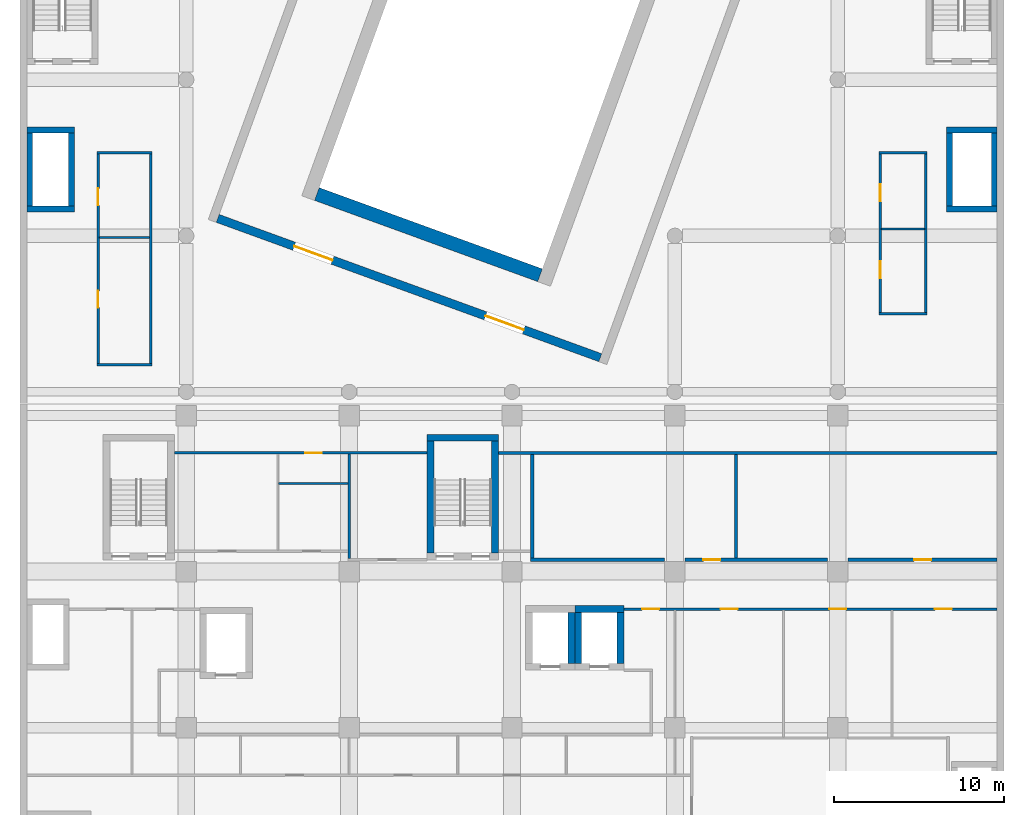
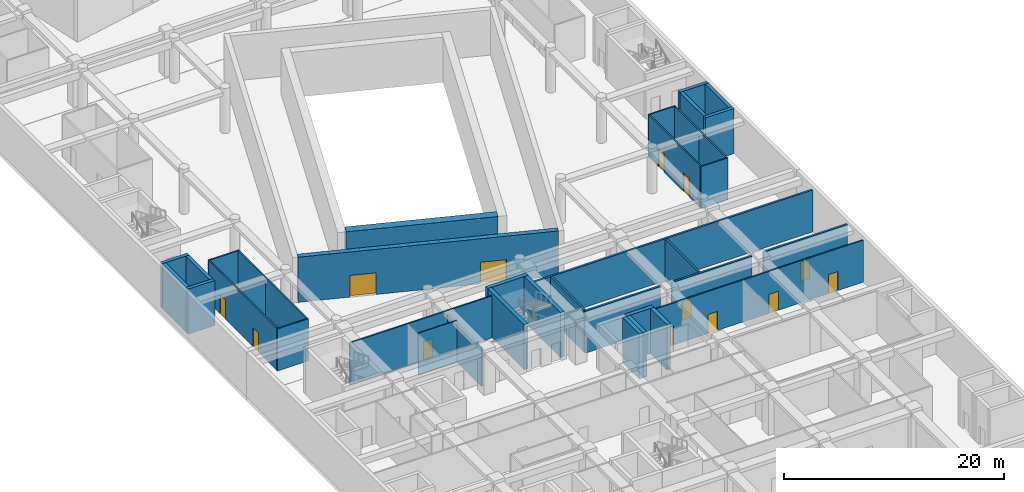
# One storey, part 12 of 31: 37 walls, 13 doors, 13 openings.
"""IFC4 building model written with IfcOpenShell, lengths in metres."""

from ifc_helpers import new_model, si_unit, direction, frame, frame_2d, origin, place, context, subcontext, project, spatial, rectangle, extrude, material, layer, layer_set, type_object, element, fill, save


model = new_model("IFC4")

# Units and contexts
model_context = context("Model", 3, precision=1e-05, world=origin(), true_north=direction((0.0, 1.0)))
body_context = subcontext(model_context, "Body", "Model", "MODEL_VIEW")
ifc_project = project(units=[si_unit("LENGTHUNIT", "METRE"), si_unit("AREAUNIT", "SQUARE_METRE"), si_unit("VOLUMEUNIT", "CUBIC_METRE"), si_unit("PLANEANGLEUNIT", "RADIAN"), si_unit("MASSUNIT", "GRAM", prefix="KILO")], contexts=[model_context])

# Site, building, storey
site_placement = place(None, origin())
site = spatial("IfcSite", under=ifc_project, at=site_placement, CompositionType="ELEMENT")
building_placement = place(site_placement, origin())
building = spatial("IfcBuilding", under=site, at=building_placement, Name="Nzadi Deep Aquarium and Research Tower", CompositionType="ELEMENT")
storey_placement = place(building_placement, frame((0.0, 0.0, 21.699951171875)))
storey = spatial("IfcBuildingStorey", under=building, at=storey_placement, Name="L03", CompositionType="ELEMENT", Elevation=21.699951171875)

# Walls
ifc_material_1 = material(Name="Blockwork masonry", Category="masonry")
ifc_layer_1 = layer(ifc_material_1, 0.10009765625)
ifc_layer_set_1 = layer_set([ifc_layer_1], Name="Blockwork masonry")
wall_type_1 = type_object("IfcWallType", Name="Partition 100 EI 30", PredefinedType="PARTITIONING", material=ifc_layer_set_1)
wall_1_placement = place(storey_placement, frame((15.050048828125, 42.0, 0.0), z_axis=(0.0, 0.0, 1.0), x_axis=(1.0, 0.0, 0.0)))
element("IfcWall", 1, at=wall_1_placement, inside=storey, type_object=wall_type_1, Name="W-Z1-L03-P020", PredefinedType="PARTITIONING", context=body_context, shape_type="SweptSolid", body=[
    extrude(rectangle(XDim=4.074951171875, YDim=0.10009765625, at=frame_2d((2.03759765625, 0.0))), origin(), (0.0, 0.0, 1.0), 4.650146484375),
])
ifc_material_2 = material(Name="Blockwork masonry", Category="masonry")
ifc_layer_2 = layer(ifc_material_2, 0.10009765625)
ifc_layer_set_2 = layer_set([ifc_layer_2], Name="Blockwork masonry")
wall_type_2 = type_object("IfcWallType", Name="Partition 100 EI 30, 4.25 m high", PredefinedType="PARTITIONING", material=ifc_layer_set_2)
wall_2_placement = place(storey_placement, frame((4.47509765625, 56.5, 0.0), z_axis=(0.0, 0.0, 1.0), x_axis=(1.0, 0.0, 0.0)))
element("IfcWall", 2, at=wall_2_placement, inside=storey, type_object=wall_type_2, Name="W-Z2-L03-P007", PredefinedType="PARTITIONING", context=body_context, shape_type="SweptSolid", body=[
    extrude(rectangle(XDim=2.949951171875, YDim=0.10009765625, at=frame_2d((1.47509765625, 0.0))), origin(), (0.0, 0.0, 1.0), 4.25),
])
wall_3_placement = place(storey_placement, frame((50.574951171875, 57.0, 0.0), z_axis=(0.0, 0.0, 1.0), x_axis=(1.0, 0.0, 0.0)))
element("IfcWall", 3, at=wall_3_placement, inside=storey, type_object=wall_type_2, Name="W-Z2-L03-P019", PredefinedType="PARTITIONING", context=body_context, shape_type="SweptSolid", body=[
    extrude(rectangle(XDim=2.550048828125, YDim=0.10009765625, at=frame_2d((1.27490234375, 0.0))), origin(), (0.0, 0.0, 1.0), 4.25),
])

# Wall, opening, door
ifc_material_3 = material(Name="Blockwork masonry", Category="masonry")
ifc_layer_3 = layer(ifc_material_3, 0.14990234375)
ifc_layer_set_3 = layer_set([ifc_layer_3], Name="Blockwork masonry")
wall_type_3 = type_object("IfcWallType", Name="Partition 150 EI 60", PredefinedType="PARTITIONING", material=ifc_layer_set_3)
wall_4_placement = place(storey_placement, frame((8.906005859375, 43.800048828125, 0.0), z_axis=(0.0, 0.0, 1.0), x_axis=(1.0, 0.0, 0.0)))
wall_4 = element("IfcWall", 4, at=wall_4_placement, inside=storey, type_object=wall_type_3, Name="W-Z1-L03-P011", PredefinedType="PARTITIONING", context=body_context, shape_type="SweptSolid", body=[
    extrude(rectangle(XDim=14.887939453125, YDim=0.14990234375, at=frame_2d((7.44384765625, 0.0))), origin(), (0.0, 0.0, 1.0), 4.650146484375),
])
opening_1_placement = place(wall_4_placement, frame((7.694091796875, 0.0, 0.0)))
opening_1 = element("IfcOpeningElement", 5, at=opening_1_placement, cuts=wall_4, Name="Opening D041024", PredefinedType="OPENING", context=body_context, shape_type="SweptSolid", body=[
    extrude(rectangle(XDim=1.0, YDim=2.10009765625, at=frame_2d((0.5, 1.050048828125))), frame((0.0, 0.0849609375, 0.0), z_axis=(0.0, -1.0, 0.0), x_axis=(1.0, 0.0, 0.0)), (0.0, 0.0, 1.0), 0.169921875),
])
ifc_material_4 = material(Name="Fire-rated steel door", Category="steel")
ifc_layer_4 = layer(ifc_material_4, 0.050048828125)
ifc_layer_set_4 = layer_set([ifc_layer_4], Name="Fire-rated steel door")
door_type_1 = type_object("IfcDoorType", Name="Door 1000x2100 EI 60 single", OperationType="SINGLE_SWING_LEFT", PredefinedType="DOOR", material=ifc_layer_set_4)
door_1_placement = place(opening_1_placement, origin())
door_1 = element("IfcDoor", 6, at=door_1_placement, inside=storey, type_object=door_type_1, Name="D041024", OperationType="SINGLE_SWING_LEFT", OverallHeight=2.10009765625, OverallWidth=1.0, PredefinedType="DOOR", context=body_context, shape_type="SweptSolid", body=[
    extrude(rectangle(XDim=1.0, YDim=2.10009765625, at=frame_2d((0.5, 1.050048828125))), frame((0.0, 0.02490234375, 0.0), z_axis=(0.0, -1.0, 0.0), x_axis=(1.0, 0.0, 0.0)), (0.0, 0.0, 1.0), 0.050048828125),
])
fill(opening_1, door_1)

# Wall, openings, doors
wall_5_placement = place(storey_placement, frame((35.406005859375, 34.60009765625, 0.0), z_axis=(0.0, 0.0, 1.0), x_axis=(1.0, 0.0, 0.0)))
wall_5 = element("IfcWall", 7, at=wall_5_placement, inside=storey, type_object=wall_type_3, Name="W-Z1-L03-P044", PredefinedType="PARTITIONING", context=body_context, shape_type="SweptSolid", body=[
    extrude(rectangle(XDim=21.988037109375, YDim=0.14990234375, at=frame_2d((10.994140625, 0.0))), origin(), (0.0, 0.0, 1.0), 4.650146484375),
])
opening_2_placement = place(wall_5_placement, frame((1.069091796875, 0.0, 0.0)))
opening_2 = element("IfcOpeningElement", 8, at=opening_2_placement, cuts=wall_5, Name="Opening D041011", PredefinedType="OPENING", context=body_context, shape_type="SweptSolid", body=[
    extrude(rectangle(XDim=1.0, YDim=2.10009765625, at=frame_2d((0.5, 1.050048828125))), frame((0.0, 0.0849609375, 0.0), z_axis=(0.0, -1.0, 0.0), x_axis=(1.0, 0.0, 0.0)), (0.0, 0.0, 1.0), 0.169921875),
])
opening_3_placement = place(wall_5_placement, frame((5.694091796875, 0.0, 0.0)))
opening_3 = element("IfcOpeningElement", 9, at=opening_3_placement, cuts=wall_5, Name="Opening D041012", PredefinedType="OPENING", context=body_context, shape_type="SweptSolid", body=[
    extrude(rectangle(XDim=1.0, YDim=2.10009765625, at=frame_2d((0.5, 1.050048828125))), frame((0.0, 0.0849609375, 0.0), z_axis=(0.0, -1.0, 0.0), x_axis=(1.0, 0.0, 0.0)), (0.0, 0.0, 1.0), 0.169921875),
])
opening_4_placement = place(wall_5_placement, frame((12.093994140625, 0.0, 0.0)))
opening_4 = element("IfcOpeningElement", 10, at=opening_4_placement, cuts=wall_5, Name="Opening D041013", PredefinedType="OPENING", context=body_context, shape_type="SweptSolid", body=[
    extrude(rectangle(XDim=1.0, YDim=2.10009765625, at=frame_2d((0.5, 1.050048828125))), frame((0.0, 0.0849609375, 0.0), z_axis=(0.0, -1.0, 0.0), x_axis=(1.0, 0.0, 0.0)), (0.0, 0.0, 1.0), 0.169921875),
])
opening_5_placement = place(wall_5_placement, frame((18.318115234375, 0.0, 0.0)))
opening_5 = element("IfcOpeningElement", 11, at=opening_5_placement, cuts=wall_5, Name="Opening D041014", PredefinedType="OPENING", context=body_context, shape_type="SweptSolid", body=[
    extrude(rectangle(XDim=1.0, YDim=2.10009765625, at=frame_2d((0.5, 1.050048828125))), frame((0.0, 0.0849609375, 0.0), z_axis=(0.0, -1.0, 0.0), x_axis=(1.0, 0.0, 0.0)), (0.0, 0.0, 1.0), 0.169921875),
])
door_2_placement = place(opening_2_placement, origin())
door_2 = element("IfcDoor", 12, at=door_2_placement, inside=storey, type_object=door_type_1, Name="D041011", OperationType="SINGLE_SWING_RIGHT", OverallHeight=2.10009765625, OverallWidth=1.0, PredefinedType="DOOR", context=body_context, shape_type="SweptSolid", body=[
    extrude(rectangle(XDim=1.0, YDim=2.10009765625, at=frame_2d((0.5, 1.050048828125))), frame((0.0, 0.02490234375, 0.0), z_axis=(0.0, -1.0, 0.0), x_axis=(1.0, 0.0, 0.0)), (0.0, 0.0, 1.0), 0.050048828125),
])
fill(opening_2, door_2)
door_3_placement = place(opening_3_placement, origin())
door_3 = element("IfcDoor", 13, at=door_3_placement, inside=storey, type_object=door_type_1, Name="D041012", OperationType="SINGLE_SWING_RIGHT", OverallHeight=2.10009765625, OverallWidth=1.0, PredefinedType="DOOR", context=body_context, shape_type="SweptSolid", body=[
    extrude(rectangle(XDim=1.0, YDim=2.10009765625, at=frame_2d((0.5, 1.050048828125))), frame((0.0, 0.02490234375, 0.0), z_axis=(0.0, -1.0, 0.0), x_axis=(1.0, 0.0, 0.0)), (0.0, 0.0, 1.0), 0.050048828125),
])
fill(opening_3, door_3)
door_4_placement = place(opening_4_placement, origin())
door_4 = element("IfcDoor", 14, at=door_4_placement, inside=storey, type_object=door_type_1, Name="D041013", OperationType="SINGLE_SWING_LEFT", OverallHeight=2.10009765625, OverallWidth=1.0, PredefinedType="DOOR", context=body_context, shape_type="SweptSolid", body=[
    extrude(rectangle(XDim=1.0, YDim=2.10009765625, at=frame_2d((0.5, 1.050048828125))), frame((0.0, 0.02490234375, 0.0), z_axis=(0.0, -1.0, 0.0), x_axis=(1.0, 0.0, 0.0)), (0.0, 0.0, 1.0), 0.050048828125),
])
fill(opening_4, door_4)
door_5_placement = place(opening_5_placement, origin())
door_5 = element("IfcDoor", 15, at=door_5_placement, inside=storey, type_object=door_type_1, Name="D041014", OperationType="SINGLE_SWING_LEFT", OverallHeight=2.10009765625, OverallWidth=1.0, PredefinedType="DOOR", context=body_context, shape_type="SweptSolid", body=[
    extrude(rectangle(XDim=1.0, YDim=2.10009765625, at=frame_2d((0.5, 1.050048828125))), frame((0.0, 0.02490234375, 0.0), z_axis=(0.0, -1.0, 0.0), x_axis=(1.0, 0.0, 0.0)), (0.0, 0.0, 1.0), 0.050048828125),
])
fill(opening_5, door_5)

# Wall
wall_6_placement = place(storey_placement, frame((4.324951171875, 49.0, 0.0), z_axis=(0.0, 0.0, 1.0), x_axis=(1.0, 0.0, 0.0)))
element("IfcWall", 16, at=wall_6_placement, inside=storey, type_object=wall_type_3, Name="W-Z2-L03-P001", PredefinedType="PARTITIONING", context=body_context, shape_type="SweptSolid", body=[
    extrude(rectangle(XDim=3.25, YDim=0.14990234375, at=frame_2d((1.625, 0.0))), origin(), (0.0, 0.0, 1.0), 4.650146484375),
])

# Wall, openings, doors
wall_7_placement = place(storey_placement, frame((4.39990234375, 49.074951171875, 0.0), z_axis=(0.0, 0.0, 1.0), x_axis=(0.0, 1.0, 0.0)))
wall_7 = element("IfcWall", 17, at=wall_7_placement, inside=storey, type_object=wall_type_3, Name="W-Z2-L03-P002", PredefinedType="PARTITIONING", context=body_context, shape_type="SweptSolid", body=[
    extrude(rectangle(XDim=12.35009765625, YDim=0.14990234375, at=frame_2d((6.175048828125, 0.0))), origin(), (0.0, 0.0, 1.0), 4.650146484375),
])
opening_6_placement = place(wall_7_placement, frame((3.284912109375, 0.0, 0.0)))
opening_6 = element("IfcOpeningElement", 18, at=opening_6_placement, cuts=wall_7, Name="Opening D042001", PredefinedType="OPENING", context=body_context, shape_type="SweptSolid", body=[
    extrude(rectangle(XDim=1.0, YDim=2.10009765625, at=frame_2d((0.5, 1.050048828125))), frame((0.0, 0.0849609375, 0.0), z_axis=(0.0, -1.0, 0.0), x_axis=(1.0, 0.0, 0.0)), (0.0, 0.0, 1.0), 0.169921875),
])
opening_7_placement = place(wall_7_placement, frame((9.31494140625, 0.0, 0.0)))
opening_7 = element("IfcOpeningElement", 19, at=opening_7_placement, cuts=wall_7, Name="Opening D042002", PredefinedType="OPENING", context=body_context, shape_type="SweptSolid", body=[
    extrude(rectangle(XDim=1.0, YDim=2.10009765625, at=frame_2d((0.5, 1.050048828125))), frame((0.0, 0.0849609375, 0.0), z_axis=(0.0, -1.0, 0.0), x_axis=(1.0, 0.0, 0.0)), (0.0, 0.0, 1.0), 0.169921875),
])
door_6_placement = place(opening_6_placement, origin())
door_6 = element("IfcDoor", 20, at=door_6_placement, inside=storey, type_object=door_type_1, Name="D042001", OperationType="SINGLE_SWING_RIGHT", OverallHeight=2.10009765625, OverallWidth=1.0, PredefinedType="DOOR", context=body_context, shape_type="SweptSolid", body=[
    extrude(rectangle(XDim=1.0, YDim=2.10009765625, at=frame_2d((0.5, 1.050048828125))), frame((0.0, 0.02490234375, 0.0), z_axis=(0.0, -1.0, 0.0), x_axis=(1.0, 0.0, 0.0)), (0.0, 0.0, 1.0), 0.050048828125),
])
fill(opening_6, door_6)
door_7_placement = place(opening_7_placement, origin())
door_7 = element("IfcDoor", 21, at=door_7_placement, inside=storey, type_object=door_type_1, Name="D042002", OperationType="SINGLE_SWING_LEFT", OverallHeight=2.10009765625, OverallWidth=1.0, PredefinedType="DOOR", context=body_context, shape_type="SweptSolid", body=[
    extrude(rectangle(XDim=1.0, YDim=2.10009765625, at=frame_2d((0.5, 1.050048828125))), frame((0.0, 0.02490234375, 0.0), z_axis=(0.0, -1.0, 0.0), x_axis=(1.0, 0.0, 0.0)), (0.0, 0.0, 1.0), 0.050048828125),
])
fill(opening_7, door_7)

# Walls
wall_8_placement = place(storey_placement, frame((4.324951171875, 61.5, 0.0), z_axis=(0.0, 0.0, 1.0), x_axis=(1.0, 0.0, 0.0)))
element("IfcWall", 22, at=wall_8_placement, inside=storey, type_object=wall_type_3, Name="W-Z2-L03-P003", PredefinedType="PARTITIONING", context=body_context, shape_type="SweptSolid", body=[
    extrude(rectangle(XDim=3.25, YDim=0.14990234375, at=frame_2d((1.625, 0.0))), origin(), (0.0, 0.0, 1.0), 4.650146484375),
])
wall_9_placement = place(storey_placement, frame((7.5, 49.074951171875, 0.0), z_axis=(0.0, 0.0, 1.0), x_axis=(0.0, 1.0, 0.0)))
element("IfcWall", 23, at=wall_9_placement, inside=storey, type_object=wall_type_3, Name="W-Z2-L03-P009", PredefinedType="PARTITIONING", context=body_context, shape_type="SweptSolid", body=[
    extrude(rectangle(XDim=12.35009765625, YDim=0.14990234375, at=frame_2d((6.175048828125, 0.0))), origin(), (0.0, 0.0, 1.0), 4.650146484375),
])
wall_10_placement = place(storey_placement, frame((50.425048828125, 52.0, 0.0), z_axis=(0.0, 0.0, 1.0), x_axis=(1.0, 0.0, 0.0)))
element("IfcWall", 24, at=wall_10_placement, inside=storey, type_object=wall_type_3, Name="W-Z2-L03-P016", PredefinedType="PARTITIONING", context=body_context, shape_type="SweptSolid", body=[
    extrude(rectangle(XDim=2.849853515625, YDim=0.14990234375, at=frame_2d((1.4248046875, 0.0))), origin(), (0.0, 0.0, 1.0), 4.650146484375),
])

# Wall, openings, doors
wall_11_placement = place(storey_placement, frame((50.5, 52.074951171875, 0.0), z_axis=(0.0, 0.0, 1.0), x_axis=(0.0, 1.0, 0.0)))
wall_11 = element("IfcWall", 25, at=wall_11_placement, inside=storey, type_object=wall_type_3, Name="W-Z2-L03-P017", PredefinedType="PARTITIONING", context=body_context, shape_type="SweptSolid", body=[
    extrude(rectangle(XDim=9.35009765625, YDim=0.14990234375, at=frame_2d((4.675048828125, 0.0))), origin(), (0.0, 0.0, 1.0), 4.650146484375),
])
opening_8_placement = place(wall_11_placement, frame((2.034912109375, 0.0, 0.0)))
opening_8 = element("IfcOpeningElement", 26, at=opening_8_placement, cuts=wall_11, Name="Opening D042003", PredefinedType="OPENING", context=body_context, shape_type="SweptSolid", body=[
    extrude(rectangle(XDim=1.0, YDim=2.10009765625, at=frame_2d((0.5, 1.050048828125))), frame((0.0, 0.0849609375, 0.0), z_axis=(0.0, -1.0, 0.0), x_axis=(1.0, 0.0, 0.0)), (0.0, 0.0, 1.0), 0.169921875),
])
opening_9_placement = place(wall_11_placement, frame((6.56494140625, 0.0, 0.0)))
opening_9 = element("IfcOpeningElement", 27, at=opening_9_placement, cuts=wall_11, Name="Opening D042004", PredefinedType="OPENING", context=body_context, shape_type="SweptSolid", body=[
    extrude(rectangle(XDim=1.0, YDim=2.10009765625, at=frame_2d((0.5, 1.050048828125))), frame((0.0, 0.0849609375, 0.0), z_axis=(0.0, -1.0, 0.0), x_axis=(1.0, 0.0, 0.0)), (0.0, 0.0, 1.0), 0.169921875),
])
door_8_placement = place(opening_8_placement, origin())
door_8 = element("IfcDoor", 28, at=door_8_placement, inside=storey, type_object=door_type_1, Name="D042003", OperationType="SINGLE_SWING_RIGHT", OverallHeight=2.10009765625, OverallWidth=1.0, PredefinedType="DOOR", context=body_context, shape_type="SweptSolid", body=[
    extrude(rectangle(XDim=1.0, YDim=2.10009765625, at=frame_2d((0.5, 1.050048828125))), frame((0.0, 0.02490234375, 0.0), z_axis=(0.0, -1.0, 0.0), x_axis=(1.0, 0.0, 0.0)), (0.0, 0.0, 1.0), 0.050048828125),
])
fill(opening_8, door_8)
door_9_placement = place(opening_9_placement, origin())
door_9 = element("IfcDoor", 29, at=door_9_placement, inside=storey, type_object=door_type_1, Name="D042004", OperationType="SINGLE_SWING_LEFT", OverallHeight=2.10009765625, OverallWidth=1.0, PredefinedType="DOOR", context=body_context, shape_type="SweptSolid", body=[
    extrude(rectangle(XDim=1.0, YDim=2.10009765625, at=frame_2d((0.5, 1.050048828125))), frame((0.0, 0.02490234375, 0.0), z_axis=(0.0, -1.0, 0.0), x_axis=(1.0, 0.0, 0.0)), (0.0, 0.0, 1.0), 0.050048828125),
])
fill(opening_9, door_9)

# Walls
wall_12_placement = place(storey_placement, frame((50.425048828125, 61.5, 0.0), z_axis=(0.0, 0.0, 1.0), x_axis=(1.0, 0.0, 0.0)))
element("IfcWall", 30, at=wall_12_placement, inside=storey, type_object=wall_type_3, Name="W-Z2-L03-P018", PredefinedType="PARTITIONING", context=body_context, shape_type="SweptSolid", body=[
    extrude(rectangle(XDim=2.849853515625, YDim=0.14990234375, at=frame_2d((1.4248046875, 0.0))), origin(), (0.0, 0.0, 1.0), 4.650146484375),
])
wall_13_placement = place(storey_placement, frame((53.199951171875, 52.074951171875, 0.0), z_axis=(0.0, 0.0, 1.0), x_axis=(0.0, 1.0, 0.0)))
element("IfcWall", 31, at=wall_13_placement, inside=storey, type_object=wall_type_3, Name="W-Z2-L03-P020", PredefinedType="PARTITIONING", context=body_context, shape_type="SweptSolid", body=[
    extrude(rectangle(XDim=9.35009765625, YDim=0.14990234375, at=frame_2d((4.675048828125, 0.0))), origin(), (0.0, 0.0, 1.0), 4.650146484375),
])
ifc_material_5 = material(Name="Blockwork masonry", Category="masonry")
ifc_layer_5 = layer(ifc_material_5, 0.14990234375)
ifc_layer_set_5 = layer_set([ifc_layer_5], Name="Blockwork masonry")
wall_type_4 = type_object("IfcWallType", Name="Partition 150 EI 60, 4.25 m high", PredefinedType="PARTITIONING", material=ifc_layer_set_5)
wall_14_placement = place(storey_placement, frame((19.199951171875, 37.574951171875, 0.0), z_axis=(0.0, 0.0, 1.0), x_axis=(0.0, 1.0, 0.0)))
element("IfcWall", 32, at=wall_14_placement, inside=storey, type_object=wall_type_4, Name="W-Z1-L03-P024", PredefinedType="PARTITIONING", context=body_context, shape_type="SweptSolid", body=[
    extrude(rectangle(XDim=6.150146484375, YDim=0.14990234375, at=frame_2d((3.0751953125, 0.0))), origin(), (0.0, 0.0, 1.0), 4.25),
])
ifc_material_6 = material(Name="Blockwork masonry", Category="masonry")
ifc_layer_6 = layer(ifc_material_6, 0.199951171875)
ifc_layer_set_6 = layer_set([ifc_layer_6], Name="Blockwork masonry")
wall_type_5 = type_object("IfcWallType", Name="Partition 200 EI 120", PredefinedType="PARTITIONING", material=ifc_layer_set_6)
wall_15_placement = place(storey_placement, frame((28.006103515625, 43.800048828125, 0.0), z_axis=(0.0, 0.0, 1.0), x_axis=(1.0, 0.0, 0.0)))
element("IfcWall", 33, at=wall_15_placement, inside=storey, type_object=wall_type_5, Name="W-Z1-L03-P032", PredefinedType="PARTITIONING", context=body_context, shape_type="SweptSolid", body=[
    extrude(rectangle(XDim=29.387939453125, YDim=0.199951171875, at=frame_2d((14.69384765625, 0.0))), origin(), (0.0, 0.0, 1.0), 4.650146484375),
])
wall_16_placement = place(storey_placement, frame((29.89990234375, 37.5, 0.0), z_axis=(0.0, 0.0, 1.0), x_axis=(1.0, 0.0, 0.0)))
element("IfcWall", 34, at=wall_16_placement, inside=storey, type_object=wall_type_5, Name="W-Z1-L03-P039", PredefinedType="PARTITIONING", context=body_context, shape_type="SweptSolid", body=[
    extrude(rectangle(XDim=7.900146484375, YDim=0.199951171875, at=frame_2d((3.9501953125, 0.0))), origin(), (0.0, 0.0, 1.0), 4.650146484375),
])
wall_17_placement = place(storey_placement, frame((30.0, 37.60009765625, 0.0), z_axis=(0.0, 0.0, 1.0), x_axis=(0.0, 1.0, 0.0)))
element("IfcWall", 35, at=wall_17_placement, inside=storey, type_object=wall_type_5, Name="W-Z1-L03-P040", PredefinedType="PARTITIONING", context=body_context, shape_type="SweptSolid", body=[
    extrude(rectangle(XDim=6.099853515625, YDim=0.199951171875, at=frame_2d((3.0498046875, 0.0))), origin(), (0.0, 0.0, 1.0), 4.650146484375),
])

# Wall, opening, door
wall_18_placement = place(storey_placement, frame((39.0, 37.5, 0.0), z_axis=(0.0, 0.0, 1.0), x_axis=(1.0, 0.0, 0.0)))
wall_18 = element("IfcWall", 36, at=wall_18_placement, inside=storey, type_object=wall_type_5, Name="W-Z1-L03-P052", PredefinedType="PARTITIONING", context=body_context, shape_type="SweptSolid", body=[
    extrude(rectangle(XDim=8.39990234375, YDim=0.199951171875, at=frame_2d((4.199951171875, 0.0))), origin(), (0.0, 0.0, 1.0), 4.650146484375),
])
opening_10_placement = place(wall_18_placement, frame((1.0849609375, 0.0, 0.0)))
opening_10 = element("IfcOpeningElement", 37, at=opening_10_placement, cuts=wall_18, Name="Opening D041018", PredefinedType="OPENING", context=body_context, shape_type="SweptSolid", body=[
    extrude(rectangle(XDim=1.0, YDim=2.10009765625, at=frame_2d((0.5, 1.050048828125))), frame((0.0, 0.110107421875, 0.0), z_axis=(0.0, -1.0, 0.0), x_axis=(1.0, 0.0, 0.0)), (0.0, 0.0, 1.0), 0.22021484375),
])
ifc_material_7 = material(Name="Fire-rated steel door", Category="steel")
ifc_layer_7 = layer(ifc_material_7, 0.050048828125)
ifc_layer_set_7 = layer_set([ifc_layer_7], Name="Fire-rated steel door")
door_type_2 = type_object("IfcDoorType", Name="Door 1000x2100 EI 120 single", OperationType="SINGLE_SWING_LEFT", PredefinedType="DOOR", material=ifc_layer_set_7)
door_10_placement = place(opening_10_placement, origin())
door_10 = element("IfcDoor", 38, at=door_10_placement, inside=storey, type_object=door_type_2, Name="D041018", OperationType="SINGLE_SWING_RIGHT", OverallHeight=2.10009765625, OverallWidth=1.0, PredefinedType="DOOR", context=body_context, shape_type="SweptSolid", body=[
    extrude(rectangle(XDim=1.0, YDim=2.10009765625, at=frame_2d((0.5, 1.050048828125))), frame((0.0, 0.02490234375, 0.0), z_axis=(0.0, -1.0, 0.0), x_axis=(1.0, 0.0, 0.0)), (0.0, 0.0, 1.0), 0.050048828125),
])
fill(opening_10, door_10)

# Wall
wall_19_placement = place(storey_placement, frame((42.0, 37.60009765625, 0.0), z_axis=(0.0, 0.0, 1.0), x_axis=(0.0, 1.0, 0.0)))
element("IfcWall", 39, at=wall_19_placement, inside=storey, type_object=wall_type_5, Name="W-Z1-L03-P056", PredefinedType="PARTITIONING", context=body_context, shape_type="SweptSolid", body=[
    extrude(rectangle(XDim=6.099853515625, YDim=0.199951171875, at=frame_2d((3.0498046875, 0.0))), origin(), (0.0, 0.0, 1.0), 4.650146484375),
])

# Wall, opening, door
wall_20_placement = place(storey_placement, frame((48.60009765625, 37.5, 0.0), z_axis=(0.0, 0.0, 1.0), x_axis=(1.0, 0.0, 0.0)))
wall_20 = element("IfcWall", 40, at=wall_20_placement, inside=storey, type_object=wall_type_5, Name="W-Z1-L03-P062", PredefinedType="PARTITIONING", context=body_context, shape_type="SweptSolid", body=[
    extrude(rectangle(XDim=8.7939453125, YDim=0.199951171875, at=frame_2d((4.39697265625, 0.0))), origin(), (0.0, 0.0, 1.0), 4.650146484375),
])
opening_11_placement = place(wall_20_placement, frame((3.89697265625, 0.0, 0.0)))
opening_11 = element("IfcOpeningElement", 41, at=opening_11_placement, cuts=wall_20, Name="Opening D041019", PredefinedType="OPENING", context=body_context, shape_type="SweptSolid", body=[
    extrude(rectangle(XDim=1.0, YDim=2.10009765625, at=frame_2d((0.5, 1.050048828125))), frame((0.0, 0.110107421875, 0.0), z_axis=(0.0, -1.0, 0.0), x_axis=(1.0, 0.0, 0.0)), (0.0, 0.0, 1.0), 0.22021484375),
])
door_11_placement = place(opening_11_placement, origin())
door_11 = element("IfcDoor", 42, at=door_11_placement, inside=storey, type_object=door_type_2, Name="D041019", OperationType="SINGLE_SWING_LEFT", OverallHeight=2.10009765625, OverallWidth=1.0, PredefinedType="DOOR", context=body_context, shape_type="SweptSolid", body=[
    extrude(rectangle(XDim=1.0, YDim=2.10009765625, at=frame_2d((0.5, 1.050048828125))), frame((0.0, 0.02490234375, 0.0), z_axis=(0.0, -1.0, 0.0), x_axis=(1.0, 0.0, 0.0)), (0.0, 0.0, 1.0), 0.050048828125),
])
fill(opening_11, door_11)

# Walls
ifc_material_8 = material(Name="Concrete C35/45", Category="concrete")
ifc_layer_8 = layer(ifc_material_8, 0.35009765625)
ifc_layer_set_8 = layer_set([ifc_layer_8], Name="Concrete C35/45")
wall_type_6 = type_object("IfcWallType", Name="RC core wall 350", PredefinedType="SHEAR", material=ifc_layer_set_8)
for number, where, z_axis, x_axis, name in (
    (43, (0.199951171875, 58.175048828125, 0.0), (0.0, 0.0, 1.0), (1.0, 0.0, 0.0), "W-CORE-RS-Z2-W-L03-S"),
    (44, (0.199951171875, 62.824951171875, 0.0), (0.0, 0.0, 1.0), (1.0, 0.0, 0.0), "W-CORE-RS-Z2-W-L03-N"),
):
    element("IfcWall", number, at=place(storey_placement, frame(where, z_axis=z_axis, x_axis=x_axis)), inside=storey, type_object=wall_type_6, Name=name, PredefinedType="SHEAR", context=body_context, shape_type="SweptSolid", body=[
        extrude(rectangle(XDim=2.800048828125, YDim=0.35009765625, at=frame_2d((1.39990234375, 0.0))), origin(), (0.0, 0.0, 1.0), 5.0),
    ])
for number, where, z_axis, x_axis, name in (
    (45, (0.375, 58.35009765625, 0.0), (0.0, 0.0, 1.0), (0.0, 1.0, 0.0), "W-CORE-RS-Z2-W-L03-W"),
    (46, (2.824951171875, 58.35009765625, 0.0), (0.0, 0.0, 1.0), (0.0, 1.0, 0.0), "W-CORE-RS-Z2-W-L03-E"),
):
    element("IfcWall", number, at=place(storey_placement, frame(where, z_axis=z_axis, x_axis=x_axis)), inside=storey, type_object=wall_type_6, Name=name, PredefinedType="SHEAR", context=body_context, shape_type="SweptSolid", body=[
        extrude(rectangle(XDim=4.2998046875, YDim=0.35009765625, at=frame_2d((2.14990234375, 0.0))), origin(), (0.0, 0.0, 1.0), 5.0),
    ])
for number, where, z_axis, x_axis, name in (
    (47, (54.39990234375, 58.175048828125, 0.0), (0.0, 0.0, 1.0), (1.0, 0.0, 0.0), "W-CORE-RS-Z2-E-L03-S"),
    (48, (54.39990234375, 62.824951171875, 0.0), (0.0, 0.0, 1.0), (1.0, 0.0, 0.0), "W-CORE-RS-Z2-E-L03-N"),
):
    element("IfcWall", number, at=place(storey_placement, frame(where, z_axis=z_axis, x_axis=x_axis)), inside=storey, type_object=wall_type_6, Name=name, PredefinedType="SHEAR", context=body_context, shape_type="SweptSolid", body=[
        extrude(rectangle(XDim=3.0, YDim=0.35009765625, at=frame_2d((1.5, 0.0))), origin(), (0.0, 0.0, 1.0), 5.0),
    ])
for number, where, z_axis, x_axis, name in (
    (49, (54.574951171875, 58.35009765625, 0.0), (0.0, 0.0, 1.0), (0.0, 1.0, 0.0), "W-CORE-RS-Z2-E-L03-W"),
    (50, (57.22509765625, 58.35009765625, 0.0), (0.0, 0.0, 1.0), (0.0, 1.0, 0.0), "W-CORE-RS-Z2-E-L03-E"),
):
    element("IfcWall", number, at=place(storey_placement, frame(where, z_axis=z_axis, x_axis=x_axis)), inside=storey, type_object=wall_type_6, Name=name, PredefinedType="SHEAR", context=body_context, shape_type="SweptSolid", body=[
        extrude(rectangle(XDim=4.2998046875, YDim=0.35009765625, at=frame_2d((2.14990234375, 0.0))), origin(), (0.0, 0.0, 1.0), 5.0),
    ])
ifc_material_9 = material(Name="Concrete C35/45", Category="concrete")
ifc_layer_9 = layer(ifc_material_9, 0.39990234375)
ifc_layer_set_9 = layer_set([ifc_layer_9], Name="Concrete C35/45")
wall_type_7 = type_object("IfcWallType", Name="RC core wall 400", PredefinedType="SHEAR", material=ifc_layer_set_9)
wall_21_placement = place(storey_placement, frame((23.800048828125, 44.699951171875, 0.0), z_axis=(0.0, 0.0, 1.0), x_axis=(1.0, 0.0, 0.0)))
element("IfcWall", 51, at=wall_21_placement, inside=storey, type_object=wall_type_7, Name="W-CORE-ST-Z1-NE-L03-N", PredefinedType="SHEAR", context=body_context, shape_type="SweptSolid", body=[
    extrude(rectangle(XDim=4.199951171875, YDim=0.39990234375, at=frame_2d((2.10009765625, 0.0))), origin(), (0.0, 0.0, 1.0), 5.0),
])
for number, where, z_axis, x_axis, name in (
    (52, (24.0, 37.89990234375, 0.0), (0.0, 0.0, 1.0), (0.0, 1.0, 0.0), "W-CORE-ST-Z1-NE-L03-W"),
    (53, (27.800048828125, 37.89990234375, 0.0), (0.0, 0.0, 1.0), (0.0, 1.0, 0.0), "W-CORE-ST-Z1-NE-L03-E"),
):
    element("IfcWall", number, at=place(storey_placement, frame(where, z_axis=z_axis, x_axis=x_axis)), inside=storey, type_object=wall_type_7, Name=name, PredefinedType="SHEAR", context=body_context, shape_type="SweptSolid", body=[
        extrude(rectangle(XDim=6.60009765625, YDim=0.39990234375, at=frame_2d((3.300048828125, 0.0))), origin(), (0.0, 0.0, 1.0), 5.0),
    ])
wall_22_placement = place(storey_placement, frame((32.300048828125, 31.39990234375, 0.0), z_axis=(0.0, 0.0, 1.0), x_axis=(0.0, 1.0, 0.0)))
element("IfcWall", 54, at=wall_22_placement, inside=storey, type_object=wall_type_7, Name="W-CORE-TL3-L03-E", PredefinedType="SHEAR", context=body_context, shape_type="SweptSolid", body=[
    extrude(rectangle(XDim=3.0, YDim=0.39990234375, at=frame_2d((1.5, 0.0))), origin(), (0.0, 0.0, 1.0), 5.0),
])
wall_23_placement = place(storey_placement, frame((32.5, 34.60009765625, 0.0), z_axis=(0.0, 0.0, 1.0), x_axis=(1.0, 0.0, 0.0)))
element("IfcWall", 55, at=wall_23_placement, inside=storey, type_object=wall_type_7, Name="W-CORE-TL4-L03-N", PredefinedType="SHEAR", context=body_context, shape_type="SweptSolid", body=[
    extrude(rectangle(XDim=2.89990234375, YDim=0.39990234375, at=frame_2d((1.449951171875, 0.0))), origin(), (0.0, 0.0, 1.0), 5.0),
])
for number, where, z_axis, x_axis, name in (
    (56, (32.699951171875, 31.39990234375, 0.0), (0.0, 0.0, 1.0), (0.0, 1.0, 0.0), "W-CORE-TL4-L03-W"),
    (57, (35.199951171875, 31.39990234375, 0.0), (0.0, 0.0, 1.0), (0.0, 1.0, 0.0), "W-CORE-TL4-L03-E"),
):
    element("IfcWall", number, at=place(storey_placement, frame(where, z_axis=z_axis, x_axis=x_axis)), inside=storey, type_object=wall_type_7, Name=name, PredefinedType="SHEAR", context=body_context, shape_type="SweptSolid", body=[
        extrude(rectangle(XDim=3.0, YDim=0.39990234375, at=frame_2d((1.5, 0.0))), origin(), (0.0, 0.0, 1.0), 5.0),
    ])

# Wall, openings, doors
ifc_material_10 = material(Name="Concrete C35/45", Category="concrete")
ifc_layer_10 = layer(ifc_material_10, 0.5)
ifc_layer_set_10 = layer_set([ifc_layer_10], Name="Concrete C35/45")
wall_type_8 = type_object("IfcWallType", Name="RC envelope wall 500", PredefinedType="SHEAR", material=ifc_layer_set_10)
wall_24_placement = place(storey_placement, frame((11.452880859375, 57.624755859375, 0.0), z_axis=(0.0, 0.0, 1.0), x_axis=(0.939691804709, -0.342022385471, 0.0)))
wall_24 = element("IfcWall", 58, at=wall_24_placement, inside=storey, type_object=wall_type_8, Name="W-PR-L03-S", PredefinedType="SHEAR", context=body_context, shape_type="SweptSolid", body=[
    extrude(rectangle(XDim=24.0, YDim=0.5, at=frame_2d((12.0, 0.0))), origin(), (0.0, 0.0, 1.0), 5.0),
])
opening_12_placement = place(wall_24_placement, frame((4.800048828125, 0.0, 0.0)))
opening_12 = element("IfcOpeningElement", 59, at=opening_12_placement, cuts=wall_24, Name="Opening D042010", PredefinedType="OPENING", context=body_context, shape_type="SweptSolid", body=[
    extrude(rectangle(XDim=2.39990234375, YDim=2.39990234375, at=frame_2d((1.199951171875, 1.199951171875))), frame((0.0, 0.260009765625, 0.0), z_axis=(0.0, -1.0, 0.0), x_axis=(1.0, 0.0, 0.0)), (0.0, 0.0, 1.0), 0.52001953125),
])
opening_13_placement = place(wall_24_placement, frame((16.800048828125, 0.0, 0.0)))
opening_13 = element("IfcOpeningElement", 60, at=opening_13_placement, cuts=wall_24, Name="Opening D042012", PredefinedType="OPENING", context=body_context, shape_type="SweptSolid", body=[
    extrude(rectangle(XDim=2.39990234375, YDim=2.39990234375, at=frame_2d((1.199951171875, 1.199951171875))), frame((0.0, 0.260009765625, 0.0), z_axis=(0.0, -1.0, 0.0), x_axis=(1.0, 0.0, 0.0)), (0.0, 0.0, 1.0), 0.52001953125),
])
ifc_material_11 = material(Name="Fire-rated steel door", Category="steel")
ifc_layer_11 = layer(ifc_material_11, 0.050048828125)
ifc_layer_set_11 = layer_set([ifc_layer_11], Name="Fire-rated steel door")
door_type_3 = type_object("IfcDoorType", Name="Door 2400x2400 EI 120 double", OperationType="DOUBLE_DOOR_SINGLE_SWING", PredefinedType="DOOR", material=ifc_layer_set_11)
door_12_placement = place(opening_12_placement, origin())
door_12 = element("IfcDoor", 61, at=door_12_placement, inside=storey, type_object=door_type_3, Name="D042010", OperationType="DOUBLE_DOOR_SINGLE_SWING", OverallHeight=2.39990234375, OverallWidth=2.39990234375, PredefinedType="DOOR", context=body_context, shape_type="SweptSolid", body=[
    extrude(rectangle(XDim=2.39990234375, YDim=2.39990234375, at=frame_2d((1.199951171875, 1.199951171875))), frame((0.0, 0.02490234375, 0.0), z_axis=(0.0, -1.0, 0.0), x_axis=(1.0, 0.0, 0.0)), (0.0, 0.0, 1.0), 0.050048828125),
])
fill(opening_12, door_12)
door_13_placement = place(opening_13_placement, origin())
door_13 = element("IfcDoor", 62, at=door_13_placement, inside=storey, type_object=door_type_3, Name="D042012", OperationType="DOUBLE_DOOR_SINGLE_SWING", OverallHeight=2.39990234375, OverallWidth=2.39990234375, PredefinedType="DOOR", context=body_context, shape_type="SweptSolid", body=[
    extrude(rectangle(XDim=2.39990234375, YDim=2.39990234375, at=frame_2d((1.199951171875, 1.199951171875))), frame((0.0, 0.02490234375, 0.0), z_axis=(0.0, -1.0, 0.0), x_axis=(1.0, 0.0, 0.0)), (0.0, 0.0, 1.0), 0.050048828125),
])
fill(opening_13, door_13)

# Wall
ifc_material_12 = material(Name="Concrete C40/50", Category="concrete")
ifc_layer_12 = layer(ifc_material_12, 0.800048828125)
ifc_layer_set_12 = layer_set([ifc_layer_12], Name="Concrete C40/50")
wall_type_9 = type_object("IfcWallType", Name="RC tank wall 800 C40/50, 5.00 m high", PredefinedType="SOLIDWALL", material=ifc_layer_set_12)
wall_25_placement = place(storey_placement, frame((17.297119140625, 59.0625, 0.0), z_axis=(0.0, 0.0, 1.0), x_axis=(0.939690020578, -0.342027287253, 0.0)))
element("IfcWall", 63, at=wall_25_placement, inside=storey, type_object=wall_type_9, Name="W-TK-L03-S", PredefinedType="SOLIDWALL", context=body_context, shape_type="SweptSolid", body=[
    extrude(rectangle(XDim=13.999755859375, YDim=0.800048828125, at=frame_2d((7.0, 0.0))), origin(), (0.0, 0.0, 1.0), 5.0),
])

save(model, "model.ifc")
